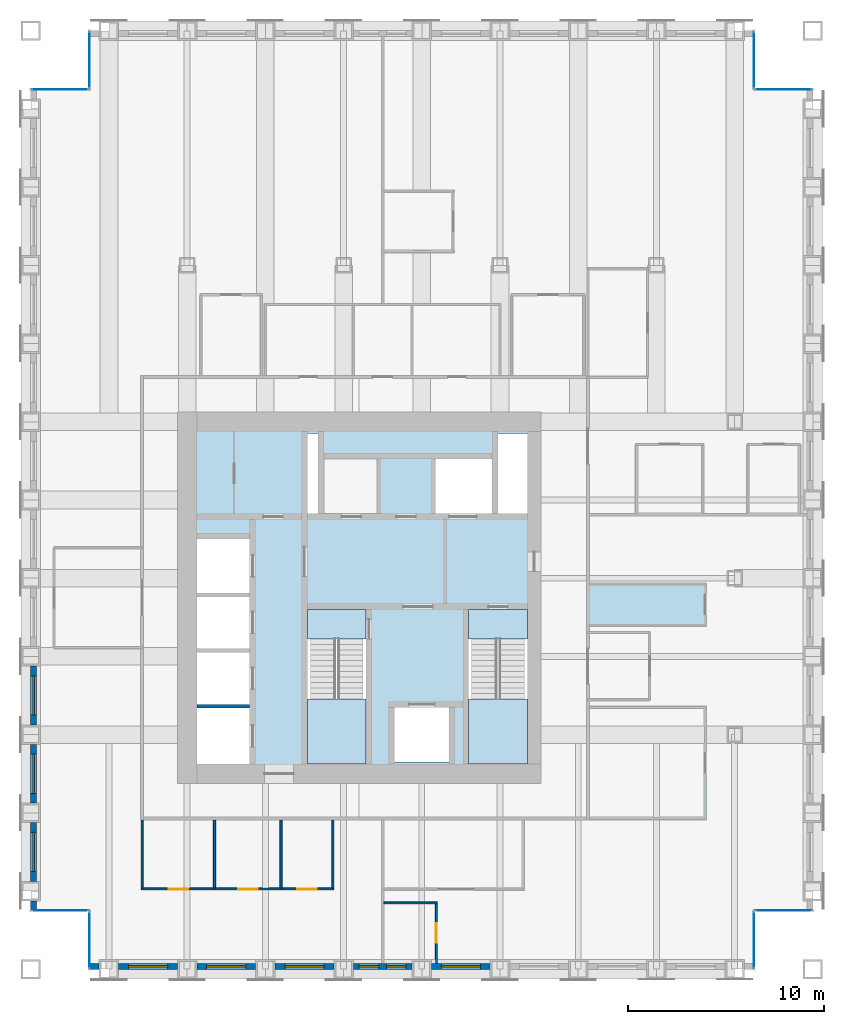
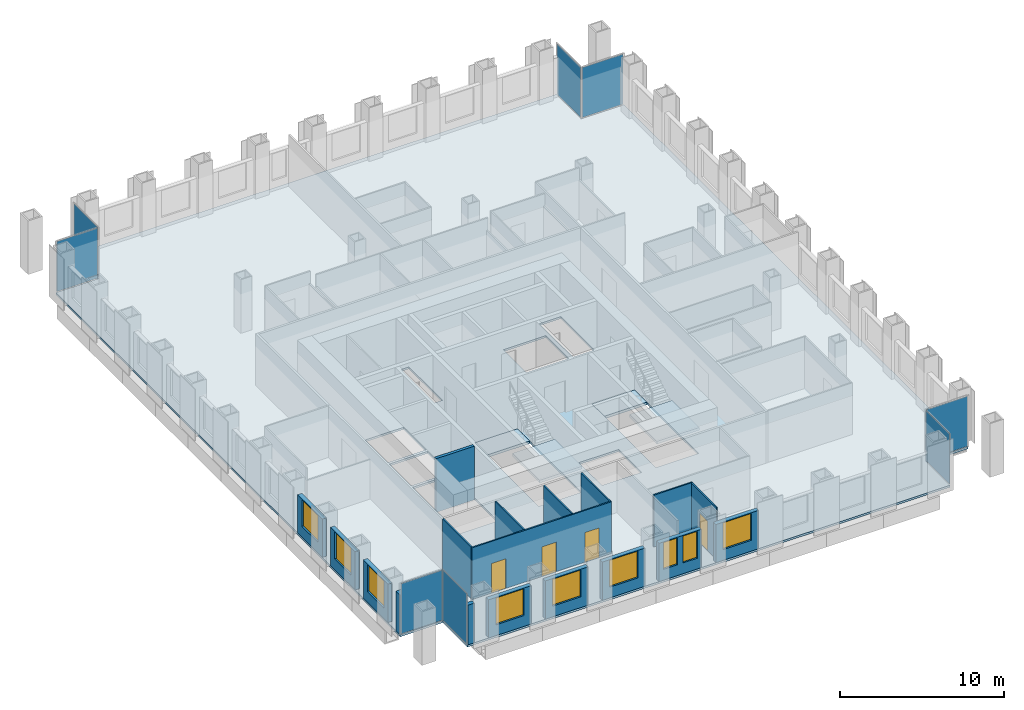
# One storey, part 8 of 14: 18 walls, 9 windows, 8 plates, 5 slabs, 4 doors, 13 openings, 10 elements without a shape of their own.
"""IFC4 building model written with IfcOpenShell, lengths in metres."""

from ifc_helpers import new_model, si_unit, direction, frame, frame_2d, origin, origin_2d, place, context, subcontext, project, spatial, polyline, rectangle, outline, extrude, material, layer, layer_set, type_object, element, fill, aggregate, save


model = new_model("IFC4")

# Units and contexts
model_context = context("Model", 3, precision=1e-05, world=origin(), true_north=direction((0.0, 1.0)))
body_context = subcontext(model_context, "Body", "Model", "MODEL_VIEW")
ifc_project = project(units=[si_unit("LENGTHUNIT", "METRE"), si_unit("AREAUNIT", "SQUARE_METRE"), si_unit("VOLUMEUNIT", "CUBIC_METRE"), si_unit("PLANEANGLEUNIT", "RADIAN"), si_unit("MASSUNIT", "GRAM", prefix="KILO")], contexts=[model_context])

# Site, building, storey
site_placement = place(None, origin())
site = spatial("IfcSite", under=ifc_project, at=site_placement, CompositionType="ELEMENT")
building_placement = place(site_placement, origin())
building = spatial("IfcBuilding", under=site, at=building_placement, Name="Rimbunsela Tower", CompositionType="ELEMENT")
storey_placement = place(building_placement, frame((0.0, 0.0, 226.199951171875)))
storey = spatial("IfcBuildingStorey", under=building, at=storey_placement, Name="L54", CompositionType="ELEMENT", Elevation=226.199951171875)

# Slab
ifc_material_1 = material(Name="Concrete fc' 35 MPa", Category="concrete")
ifc_layer_1 = layer(ifc_material_1, 0.14990234375)
ifc_layer_set_1 = layer_set([ifc_layer_1], Name="Floor slab 150")
slab_type_1 = type_object("IfcSlabType", Name="Floor slab 150", PredefinedType="FLOOR", material=ifc_layer_set_1)
slab_1_placement = place(storey_placement, frame((0.0, 0.0, -0.14990234375)))
element("IfcSlab", 1, at=slab_1_placement, inside=storey, type_object=slab_type_1, Name="Floor slab L54", PredefinedType="FLOOR", context=body_context, shape_type="SweptSolid", body=[
    extrude(outline(polyline([(13.0, 8.0), (47.0, 8.0), (47.0, 11.0), (50.0, 11.0), (50.0, 53.0), (47.0, 53.0), (47.0, 56.0), (13.0, 56.0), (13.0, 53.0), (10.0, 53.0), (10.0, 11.0), (13.0, 11.0), (13.0, 8.0)]), holes=[polyline([(21.199951171875, 21.35009765625), (18.5, 21.35009765625), (18.5, 18.5), (21.199951171875, 18.5), (21.199951171875, 21.35009765625)]), polyline([(21.199951171875, 21.550048828125), (21.199951171875, 24.199951171875), (18.5, 24.199951171875), (18.5, 21.550048828125), (21.199951171875, 21.550048828125)]), polyline([(21.199951171875, 27.050048828125), (18.5, 27.050048828125), (18.5, 24.39990234375), (21.199951171875, 24.39990234375), (21.199951171875, 27.050048828125)]), polyline([(21.199951171875, 30.0), (18.5, 30.0), (18.5, 27.25), (21.199951171875, 27.25), (21.199951171875, 30.0)]), polyline([(27.14990234375, 26.39990234375), (24.14990234375, 26.39990234375), (24.14990234375, 18.60009765625), (27.14990234375, 18.60009765625), (27.14990234375, 26.39990234375)]), polyline([(24.699951171875, 31.300048828125), (24.699951171875, 35.39990234375), (24.14990234375, 35.39990234375), (24.14990234375, 31.300048828125), (24.699951171875, 31.300048828125)]), polyline([(31.39990234375, 21.39990234375), (28.60009765625, 21.39990234375), (28.60009765625, 18.60009765625), (31.39990234375, 18.60009765625), (31.39990234375, 21.39990234375)]), polyline([(33.60009765625, 34.10009765625), (30.60009765625, 34.10009765625), (30.60009765625, 31.300048828125), (33.60009765625, 31.300048828125), (33.60009765625, 34.10009765625)]), polyline([(35.39990234375, 18.60009765625), (35.39990234375, 26.39990234375), (32.39990234375, 26.39990234375), (32.39990234375, 18.60009765625), (35.39990234375, 18.60009765625)]), polyline([(35.39990234375, 31.300048828125), (35.39990234375, 35.39990234375), (33.89990234375, 35.39990234375), (33.89990234375, 31.300048828125), (35.39990234375, 31.300048828125)])]), origin(), (0.0, 0.0, 1.0), 0.14990234375),
])

# Curtain wall, plate
ifc_material_2 = material(Name="Aluminium curtain wall", Category="aluminium")
curtain_wall_type = type_object("IfcCurtainWallType", Name="Corner glazing", PredefinedType="USERDEFINED", material=ifc_material_2)
curtain_wall_1_placement = place(storey_placement, origin())
curtain_wall_1 = element("IfcCurtainWall", 2, at=curtain_wall_1_placement, inside=storey, type_object=curtain_wall_type, Name="Corner glazing L54", ObjectType="CORNER GLAZING", PredefinedType="USERDEFINED")
ifc_material_3 = material(Name="Clear double glazing", Category="glass")
ifc_layer_2 = layer(ifc_material_3, 0.028076171875)
ifc_layer_set_2 = layer_set([ifc_layer_2], Name="Glazed panel clear")
plate_type = type_object("IfcPlateType", Name="Glazed panel clear", PredefinedType="CURTAIN_PANEL", material=ifc_layer_set_2)
plate_1_placement = place(storey_placement, frame((47.0, 9.5, 0.06005859375), z_axis=(0.0, 0.0, 1.0), x_axis=(0.0, 1.0, 0.0)))
plate_1 = element("IfcPlate", 3, at=plate_1_placement, type_object=plate_type, Name="CW5 panel 1.1", PredefinedType="CURTAIN_PANEL", context=body_context, shape_type="SweptSolid", body=[
    extrude(rectangle(XDim=2.8798828125, YDim=0.028076171875, at=origin_2d()), origin(), (0.0, 0.0, 1.0), 3.72998046875),
])
aggregate(curtain_wall_1, [plate_1])

curtain_wall_2_placement = place(storey_placement, origin())
curtain_wall_2 = element("IfcCurtainWall", 4, at=curtain_wall_2_placement, inside=storey, type_object=curtain_wall_type, Name="Corner glazing L54", ObjectType="CORNER GLAZING", PredefinedType="USERDEFINED")
plate_2_placement = place(storey_placement, frame((48.5, 11.0, 0.06005859375), z_axis=(0.0, 0.0, 1.0), x_axis=(1.0, 0.0, 0.0)))
plate_2 = element("IfcPlate", 5, at=plate_2_placement, type_object=plate_type, Name="CW5 panel 1.1", PredefinedType="CURTAIN_PANEL", context=body_context, shape_type="SweptSolid", body=[
    extrude(rectangle(XDim=2.8798828125, YDim=0.028076171875, at=origin_2d()), origin(), (0.0, 0.0, 1.0), 3.72998046875),
])
aggregate(curtain_wall_2, [plate_2])

curtain_wall_3_placement = place(storey_placement, origin())
curtain_wall_3 = element("IfcCurtainWall", 6, at=curtain_wall_3_placement, inside=storey, type_object=curtain_wall_type, Name="Corner glazing L54", ObjectType="CORNER GLAZING", PredefinedType="USERDEFINED")
plate_3_placement = place(storey_placement, frame((48.5, 53.0, 0.06005859375), z_axis=(0.0, 0.0, 1.0), x_axis=(-1.0, 0.0, 0.0)))
plate_3 = element("IfcPlate", 7, at=plate_3_placement, type_object=plate_type, Name="CW5 panel 1.1", PredefinedType="CURTAIN_PANEL", context=body_context, shape_type="SweptSolid", body=[
    extrude(rectangle(XDim=2.8798828125, YDim=0.028076171875, at=origin_2d()), origin(), (0.0, 0.0, 1.0), 3.72998046875),
])
aggregate(curtain_wall_3, [plate_3])

curtain_wall_4_placement = place(storey_placement, origin())
curtain_wall_4 = element("IfcCurtainWall", 8, at=curtain_wall_4_placement, inside=storey, type_object=curtain_wall_type, Name="Corner glazing L54", ObjectType="CORNER GLAZING", PredefinedType="USERDEFINED")
plate_4_placement = place(storey_placement, frame((47.0, 54.5, 0.06005859375), z_axis=(0.0, 0.0, 1.0), x_axis=(0.0, 1.0, 0.0)))
plate_4 = element("IfcPlate", 9, at=plate_4_placement, type_object=plate_type, Name="CW5 panel 1.1", PredefinedType="CURTAIN_PANEL", context=body_context, shape_type="SweptSolid", body=[
    extrude(rectangle(XDim=2.8798828125, YDim=0.028076171875, at=origin_2d()), origin(), (0.0, 0.0, 1.0), 3.72998046875),
])
aggregate(curtain_wall_4, [plate_4])

curtain_wall_5_placement = place(storey_placement, origin())
curtain_wall_5 = element("IfcCurtainWall", 10, at=curtain_wall_5_placement, inside=storey, type_object=curtain_wall_type, Name="Corner glazing L54", ObjectType="CORNER GLAZING", PredefinedType="USERDEFINED")
plate_5_placement = place(storey_placement, frame((13.0, 54.5, 0.06005859375), z_axis=(0.0, 0.0, 1.0), x_axis=(0.0, -1.0, 0.0)))
plate_5 = element("IfcPlate", 11, at=plate_5_placement, type_object=plate_type, Name="CW5 panel 1.1", PredefinedType="CURTAIN_PANEL", context=body_context, shape_type="SweptSolid", body=[
    extrude(rectangle(XDim=2.8798828125, YDim=0.028076171875, at=origin_2d()), origin(), (0.0, 0.0, 1.0), 3.72998046875),
])
aggregate(curtain_wall_5, [plate_5])

curtain_wall_6_placement = place(storey_placement, origin())
curtain_wall_6 = element("IfcCurtainWall", 12, at=curtain_wall_6_placement, inside=storey, type_object=curtain_wall_type, Name="Corner glazing L54", ObjectType="CORNER GLAZING", PredefinedType="USERDEFINED")
plate_6_placement = place(storey_placement, frame((11.5, 53.0, 0.06005859375), z_axis=(0.0, 0.0, 1.0), x_axis=(-1.0, 0.0, 0.0)))
plate_6 = element("IfcPlate", 13, at=plate_6_placement, type_object=plate_type, Name="CW5 panel 1.1", PredefinedType="CURTAIN_PANEL", context=body_context, shape_type="SweptSolid", body=[
    extrude(rectangle(XDim=2.8798828125, YDim=0.028076171875, at=origin_2d()), origin(), (0.0, 0.0, 1.0), 3.72998046875),
])
aggregate(curtain_wall_6, [plate_6])

curtain_wall_7_placement = place(storey_placement, origin())
curtain_wall_7 = element("IfcCurtainWall", 14, at=curtain_wall_7_placement, inside=storey, type_object=curtain_wall_type, Name="Corner glazing L54", ObjectType="CORNER GLAZING", PredefinedType="USERDEFINED")
plate_7_placement = place(storey_placement, frame((11.5, 11.0, 0.06005859375), z_axis=(0.0, 0.0, 1.0), x_axis=(1.0, 0.0, 0.0)))
plate_7 = element("IfcPlate", 15, at=plate_7_placement, type_object=plate_type, Name="CW5 panel 1.1", PredefinedType="CURTAIN_PANEL", context=body_context, shape_type="SweptSolid", body=[
    extrude(rectangle(XDim=2.8798828125, YDim=0.028076171875, at=origin_2d()), origin(), (0.0, 0.0, 1.0), 3.72998046875),
])
aggregate(curtain_wall_7, [plate_7])

curtain_wall_8_placement = place(storey_placement, origin())
curtain_wall_8 = element("IfcCurtainWall", 16, at=curtain_wall_8_placement, inside=storey, type_object=curtain_wall_type, Name="Corner glazing L54", ObjectType="CORNER GLAZING", PredefinedType="USERDEFINED")
plate_8_placement = place(storey_placement, frame((13.0, 9.5, 0.06005859375), z_axis=(0.0, 0.0, 1.0), x_axis=(0.0, -1.0, 0.0)))
plate_8 = element("IfcPlate", 17, at=plate_8_placement, type_object=plate_type, Name="CW5 panel 1.1", PredefinedType="CURTAIN_PANEL", context=body_context, shape_type="SweptSolid", body=[
    extrude(rectangle(XDim=2.8798828125, YDim=0.028076171875, at=origin_2d()), origin(), (0.0, 0.0, 1.0), 3.72998046875),
])
aggregate(curtain_wall_8, [plate_8])

# Stair, slabs
ifc_material_4 = material(Name="Concrete fc' 35 MPa", Category="concrete")
stair_type = type_object("IfcStairType", Name="Exit stair 24 risers", PredefinedType="HALF_TURN_STAIR", material=ifc_material_4)
stair_1_placement = place(storey_placement, origin())
stair_1 = element("IfcStair", 18, at=stair_1_placement, inside=storey, type_object=stair_type, Name="Exit stair A L54", PredefinedType="HALF_TURN_STAIR")
ifc_material_5 = material(Name="Concrete fc' 35 MPa", Category="concrete")
ifc_layer_3 = layer(ifc_material_5, 0.199951171875)
ifc_layer_set_3 = layer_set([ifc_layer_3], Name="Stair landing 200")
slab_type_2 = type_object("IfcSlabType", Name="Stair landing 200", PredefinedType="LANDING", material=ifc_layer_set_3)
slab_2_placement = place(storey_placement, frame((0.0, 0.0, -0.199951171875)))
slab_2 = element("IfcSlab", 19, at=slab_2_placement, type_object=slab_type_2, Name="ST-A landing 1", PredefinedType="LANDING", context=body_context, shape_type="SweptSolid", body=[
    extrude(outline(polyline([(24.14990234375, 24.89990234375), (27.14990234375, 24.89990234375), (27.14990234375, 26.39990234375), (24.14990234375, 26.39990234375), (24.14990234375, 24.89990234375)])), origin(), (0.0, 0.0, 1.0), 0.199951171875),
])
slab_3_placement = place(storey_placement, frame((0.0, 0.0, 1.800048828125)))
slab_3 = element("IfcSlab", 20, at=slab_3_placement, type_object=slab_type_2, Name="ST-A landing 2", PredefinedType="LANDING", context=body_context, shape_type="SweptSolid", body=[
    extrude(outline(polyline([(24.14990234375, 18.5), (27.14990234375, 18.5), (27.14990234375, 21.820068359375), (24.14990234375, 21.820068359375), (24.14990234375, 18.5)])), origin(), (0.0, 0.0, 1.0), 0.199951171875),
])
aggregate(stair_1, [slab_2, slab_3])

stair_2_placement = place(storey_placement, origin())
stair_2 = element("IfcStair", 21, at=stair_2_placement, inside=storey, type_object=stair_type, Name="Exit stair B L54", PredefinedType="HALF_TURN_STAIR")
slab_4_placement = place(storey_placement, frame((0.0, 0.0, -0.199951171875)))
slab_4 = element("IfcSlab", 22, at=slab_4_placement, type_object=slab_type_2, Name="ST-B landing 1", PredefinedType="LANDING", context=body_context, shape_type="SweptSolid", body=[
    extrude(outline(polyline([(32.39990234375, 24.89990234375), (35.39990234375, 24.89990234375), (35.39990234375, 26.39990234375), (32.39990234375, 26.39990234375), (32.39990234375, 24.89990234375)])), origin(), (0.0, 0.0, 1.0), 0.199951171875),
])
slab_5_placement = place(storey_placement, frame((0.0, 0.0, 1.800048828125)))
slab_5 = element("IfcSlab", 23, at=slab_5_placement, type_object=slab_type_2, Name="ST-B landing 2", PredefinedType="LANDING", context=body_context, shape_type="SweptSolid", body=[
    extrude(outline(polyline([(32.39990234375, 18.5), (35.39990234375, 18.5), (35.39990234375, 21.820068359375), (32.39990234375, 21.820068359375), (32.39990234375, 18.5)])), origin(), (0.0, 0.0, 1.0), 0.199951171875),
])
aggregate(stair_2, [slab_4, slab_5])

# Walls
ifc_material_6 = material(Name="Concrete blockwork", Category="masonry")
ifc_layer_4 = layer(ifc_material_6, 0.199951171875)
ifc_layer_set_4 = layer_set([ifc_layer_4], Name="Lift shaft wall 200")
wall_type_1 = type_object("IfcWallType", Name="Lift shaft wall 200", PredefinedType="SOLIDWALL", material=ifc_layer_set_4)
wall_1_placement = place(storey_placement, frame((18.5, 21.449951171875, -0.14990234375), z_axis=(0.0, 0.0, 1.0), x_axis=(1.0, 0.0, 0.0)))
element("IfcWall", 24, at=wall_1_placement, inside=storey, type_object=wall_type_1, Name="Lift shaft separation", PredefinedType="SOLIDWALL", context=body_context, shape_type="SweptSolid", body=[
    extrude(rectangle(XDim=2.699951171875, YDim=0.199951171875, at=frame_2d((1.35009765625, 0.0))), origin(), (0.0, 0.0, 1.0), 4.0),
])
ifc_material_7 = material(Name="Gypsum board on steel studs", Category="steel")
ifc_layer_5 = layer(ifc_material_7, 0.10009765625)
ifc_layer_set_5 = layer_set([ifc_layer_5], Name="Office partition 100")
wall_type_2 = type_object("IfcWallType", Name="Office partition 100", PredefinedType="PARTITIONING", material=ifc_layer_set_5)
wall_2_placement = place(storey_placement, frame((28.06005859375, 11.39990234375, 0.0), z_axis=(0.0, 0.0, 1.0), x_axis=(1.0, 0.0, 0.0)))
element("IfcWall", 25, at=wall_2_placement, inside=storey, type_object=wall_type_2, Name="Office partition", PredefinedType="PARTITIONING", context=body_context, shape_type="SweptSolid", body=[
    extrude(rectangle(XDim=2.739990234375, YDim=0.10009765625, at=frame_2d((1.3701171875, 0.0))), origin(), (0.0, 0.0, 1.0), 3.85009765625),
])

# Wall, openings, doors
wall_3_placement = place(storey_placement, frame((15.64990234375, 12.10009765625, 0.0), z_axis=(0.0, 0.0, 1.0), x_axis=(1.0, 0.0, 0.0)))
wall_3 = element("IfcWall", 26, at=wall_3_placement, inside=storey, type_object=wall_type_2, Name="Office partition", PredefinedType="PARTITIONING", context=body_context, shape_type="SweptSolid", body=[
    extrude(rectangle(XDim=9.85009765625, YDim=0.10009765625, at=frame_2d((4.925048828125, 0.0))), origin(), (0.0, 0.0, 1.0), 3.85009765625),
])
opening_1_placement = place(wall_3_placement, frame((1.39990234375, 0.0, 0.0)))
opening_1 = element("IfcOpeningElement", 27, at=opening_1_placement, cuts=wall_3, Name="Opening D17", PredefinedType="OPENING", context=body_context, shape_type="SweptSolid", body=[
    extrude(rectangle(XDim=1.0, YDim=2.199951171875, at=frame_2d((0.5, 1.10009765625))), frame((0.0, 0.06005859375, 0.0), z_axis=(0.0, -1.0, 0.0), x_axis=(1.0, 0.0, 0.0)), (0.0, 0.0, 1.0), 0.1201171875),
])
opening_2_placement = place(wall_3_placement, frame((4.949951171875, 0.0, 0.0)))
opening_2 = element("IfcOpeningElement", 28, at=opening_2_placement, cuts=wall_3, Name="Opening D16", PredefinedType="OPENING", context=body_context, shape_type="SweptSolid", body=[
    extrude(rectangle(XDim=1.0, YDim=2.199951171875, at=frame_2d((0.5, 1.10009765625))), frame((0.0, 0.06005859375, 0.0), z_axis=(0.0, -1.0, 0.0), x_axis=(1.0, 0.0, 0.0)), (0.0, 0.0, 1.0), 0.1201171875),
])
opening_3_placement = place(wall_3_placement, frame((7.97509765625, 0.0, 0.0)))
opening_3 = element("IfcOpeningElement", 29, at=opening_3_placement, cuts=wall_3, Name="Opening D16", PredefinedType="OPENING", context=body_context, shape_type="SweptSolid", body=[
    extrude(rectangle(XDim=1.0, YDim=2.199951171875, at=frame_2d((0.5, 1.10009765625))), frame((0.0, 0.06005859375, 0.0), z_axis=(0.0, -1.0, 0.0), x_axis=(1.0, 0.0, 0.0)), (0.0, 0.0, 1.0), 0.1201171875),
])
ifc_material_8 = material(Name="Glazed aluminium door", Category="aluminium")
door_type_1 = type_object("IfcDoorType", Name="Meeting room door 1000 glazed", OperationType="SINGLE_SWING_RIGHT", PredefinedType="DOOR", material=ifc_material_8)
door_1_placement = place(opening_1_placement, origin())
door_1 = element("IfcDoor", 30, at=door_1_placement, inside=storey, type_object=door_type_1, Name="Meeting room door", OperationType="SINGLE_SWING_RIGHT", OverallHeight=2.199951171875, OverallWidth=1.0, PredefinedType="DOOR", context=body_context, shape_type="SweptSolid", body=[
    extrude(rectangle(XDim=1.0, YDim=2.199951171875, at=frame_2d((0.5, 1.10009765625))), frame((0.0, 0.02490234375, 0.0), z_axis=(0.0, -1.0, 0.0), x_axis=(1.0, 0.0, 0.0)), (0.0, 0.0, 1.0), 0.050048828125),
])
fill(opening_1, door_1)
ifc_material_9 = material(Name="Timber door", Category="wood")
door_type_2 = type_object("IfcDoorType", Name="Office door 1000", OperationType="SINGLE_SWING_LEFT", PredefinedType="DOOR", material=ifc_material_9)
door_2_placement = place(opening_2_placement, origin())
door_2 = element("IfcDoor", 31, at=door_2_placement, inside=storey, type_object=door_type_2, Name="Office door", OperationType="SINGLE_SWING_LEFT", OverallHeight=2.199951171875, OverallWidth=1.0, PredefinedType="DOOR", context=body_context, shape_type="SweptSolid", body=[
    extrude(rectangle(XDim=1.0, YDim=2.199951171875, at=frame_2d((0.5, 1.10009765625))), frame((0.0, 0.02490234375, 0.0), z_axis=(0.0, -1.0, 0.0), x_axis=(1.0, 0.0, 0.0)), (0.0, 0.0, 1.0), 0.050048828125),
])
fill(opening_2, door_2)
door_3_placement = place(opening_3_placement, origin())
door_3 = element("IfcDoor", 32, at=door_3_placement, inside=storey, type_object=door_type_2, Name="Office door", OperationType="SINGLE_SWING_LEFT", OverallHeight=2.199951171875, OverallWidth=1.0, PredefinedType="DOOR", context=body_context, shape_type="SweptSolid", body=[
    extrude(rectangle(XDim=1.0, YDim=2.199951171875, at=frame_2d((0.5, 1.10009765625))), frame((0.0, 0.02490234375, 0.0), z_axis=(0.0, -1.0, 0.0), x_axis=(1.0, 0.0, 0.0)), (0.0, 0.0, 1.0), 0.050048828125),
])
fill(opening_3, door_3)

# Walls
for number, where, z_axis, x_axis, name in (
    (33, (15.699951171875, 12.14990234375, 0.0), (0.0, 0.0, 1.0), (0.0, 1.0, 0.0), "Office partition"),
    (34, (19.39990234375, 12.14990234375, 0.0), (0.0, 0.0, 1.0), (0.0, 1.0, 0.0), "Office partition"),
    (35, (22.800048828125, 12.14990234375, 0.0), (0.0, 0.0, 1.0), (0.0, 1.0, 0.0), "Office partition"),
    (36, (25.449951171875, 12.14990234375, 0.0), (0.0, 0.0, 1.0), (0.0, 1.0, 0.0), "Office partition"),
):
    element("IfcWall", number, at=place(storey_placement, frame(where, z_axis=z_axis, x_axis=x_axis)), inside=storey, type_object=wall_type_2, Name=name, PredefinedType="PARTITIONING", context=body_context, shape_type="SweptSolid", body=[
        extrude(rectangle(XDim=3.47509765625, YDim=0.10009765625, at=frame_2d((1.737548828125, 0.0))), origin(), (0.0, 0.0, 1.0), 3.85009765625),
    ])

# Wall, opening, door
wall_4_placement = place(storey_placement, frame((30.75, 8.300048828125, 0.0), z_axis=(0.0, 0.0, 1.0), x_axis=(0.0, 1.0, 0.0)))
wall_4 = element("IfcWall", 37, at=wall_4_placement, inside=storey, type_object=wall_type_2, Name="Office partition", PredefinedType="PARTITIONING", context=body_context, shape_type="SweptSolid", body=[
    extrude(rectangle(XDim=3.050048828125, YDim=0.10009765625, at=frame_2d((1.52490234375, 0.0))), origin(), (0.0, 0.0, 1.0), 3.85009765625),
])
opening_4_placement = place(wall_4_placement, frame((1.050048828125, 0.0, 0.0)))
opening_4 = element("IfcOpeningElement", 38, at=opening_4_placement, cuts=wall_4, Name="Opening D16", PredefinedType="OPENING", context=body_context, shape_type="SweptSolid", body=[
    extrude(rectangle(XDim=1.0, YDim=2.199951171875, at=frame_2d((0.5, 1.10009765625))), frame((0.0, 0.06005859375, 0.0), z_axis=(0.0, -1.0, 0.0), x_axis=(1.0, 0.0, 0.0)), (0.0, 0.0, 1.0), 0.1201171875),
])
door_4_placement = place(opening_4_placement, origin())
door_4 = element("IfcDoor", 39, at=door_4_placement, inside=storey, type_object=door_type_2, Name="Office door", OperationType="SINGLE_SWING_LEFT", OverallHeight=2.199951171875, OverallWidth=1.0, PredefinedType="DOOR", context=body_context, shape_type="SweptSolid", body=[
    extrude(rectangle(XDim=1.0, YDim=2.199951171875, at=frame_2d((0.5, 1.10009765625))), frame((0.0, 0.02490234375, 0.0), z_axis=(0.0, -1.0, 0.0), x_axis=(1.0, 0.0, 0.0)), (0.0, 0.0, 1.0), 0.050048828125),
])
fill(opening_4, door_4)

# Wall
ifc_material_10 = material(Name="Precast concrete fc' 35 MPa", Category="concrete")
ifc_layer_6 = layer(ifc_material_10, 0.300048828125)
ifc_layer_set_6 = layer_set([ifc_layer_6], Name="Precast concrete fc' 35 MPa")
wall_type_3 = type_object("IfcWallType", Name="Precast facade panel 300", PredefinedType="ELEMENTEDWALL", material=ifc_layer_set_6)
wall_5_placement = place(storey_placement, frame((13.030029296875, 8.14990234375, 0.0), z_axis=(0.0, 0.0, 1.0), x_axis=(1.0, 0.0, 0.0)))
element("IfcWall", 40, at=wall_5_placement, inside=storey, type_object=wall_type_3, Name="Facade panel S L54", PredefinedType="ELEMENTEDWALL", context=body_context, shape_type="SweptSolid", body=[
    extrude(rectangle(XDim=0.469970703125, YDim=0.300048828125, at=frame_2d((0.23486328125, 0.0))), origin(), (0.0, 0.0, 1.0), 2.949951171875),
])

# Wall, opening, window
wall_6_placement = place(storey_placement, frame((14.5, 8.14990234375, 0.0), z_axis=(0.0, 0.0, 1.0), x_axis=(1.0, 0.0, 0.0)))
wall_6 = element("IfcWall", 41, at=wall_6_placement, inside=storey, type_object=wall_type_3, Name="Facade panel S L54", PredefinedType="ELEMENTEDWALL", context=body_context, shape_type="SweptSolid", body=[
    extrude(rectangle(XDim=3.0, YDim=0.300048828125, at=frame_2d((1.5, 0.0))), origin(), (0.0, 0.0, 1.0), 2.85009765625),
])
opening_5_placement = place(wall_6_placement, frame((0.5, 0.0, 0.800048828125)))
opening_5 = element("IfcOpeningElement", 42, at=opening_5_placement, cuts=wall_6, Name="Opening W1", PredefinedType="OPENING", context=body_context, shape_type="SweptSolid", body=[
    extrude(rectangle(XDim=2.0, YDim=2.0, at=frame_2d((1.0, 1.0))), frame((0.0, 0.159912109375, 0.0), z_axis=(0.0, -1.0, 0.0), x_axis=(1.0, 0.0, 0.0)), (0.0, 0.0, 1.0), 0.320068359375),
])
ifc_material_11 = material(Name="Clear glass in aluminium frame", Category="aluminium")
window_type_1 = type_object("IfcWindowType", Name="Window W1 2000x2000", PartitioningType="DOUBLE_PANEL_VERTICAL", PredefinedType="WINDOW", material=ifc_material_11)
window_1_placement = place(opening_5_placement, origin())
window_1 = element("IfcWindow", 43, at=window_1_placement, inside=storey, type_object=window_type_1, Name="Window L54", OverallHeight=2.0, OverallWidth=2.0, PartitioningType="SINGLE_PANEL", PredefinedType="WINDOW", context=body_context, shape_type="SweptSolid", body=[
    extrude(rectangle(XDim=2.0, YDim=2.0, at=frame_2d((1.0, 1.0))), frame((0.0, 0.030029296875, 0.0), z_axis=(0.0, -1.0, 0.0), x_axis=(1.0, 0.0, 0.0)), (0.0, 0.0, 1.0), 0.06005859375),
])
fill(opening_5, window_1)

wall_7_placement = place(storey_placement, frame((18.5, 8.14990234375, 0.0), z_axis=(0.0, 0.0, 1.0), x_axis=(1.0, 0.0, 0.0)))
wall_7 = element("IfcWall", 44, at=wall_7_placement, inside=storey, type_object=wall_type_3, Name="Facade panel S L54", PredefinedType="ELEMENTEDWALL", context=body_context, shape_type="SweptSolid", body=[
    extrude(rectangle(XDim=3.0, YDim=0.300048828125, at=frame_2d((1.5, 0.0))), origin(), (0.0, 0.0, 1.0), 2.85009765625),
])
opening_6_placement = place(wall_7_placement, frame((0.5, 0.0, 0.800048828125)))
opening_6 = element("IfcOpeningElement", 45, at=opening_6_placement, cuts=wall_7, Name="Opening W1", PredefinedType="OPENING", context=body_context, shape_type="SweptSolid", body=[
    extrude(rectangle(XDim=2.0, YDim=2.0, at=frame_2d((1.0, 1.0))), frame((0.0, 0.159912109375, 0.0), z_axis=(0.0, -1.0, 0.0), x_axis=(1.0, 0.0, 0.0)), (0.0, 0.0, 1.0), 0.320068359375),
])
window_2_placement = place(opening_6_placement, origin())
window_2 = element("IfcWindow", 46, at=window_2_placement, inside=storey, type_object=window_type_1, Name="Window L54", OverallHeight=2.0, OverallWidth=2.0, PartitioningType="SINGLE_PANEL", PredefinedType="WINDOW", context=body_context, shape_type="SweptSolid", body=[
    extrude(rectangle(XDim=2.0, YDim=2.0, at=frame_2d((1.0, 1.0))), frame((0.0, 0.030029296875, 0.0), z_axis=(0.0, -1.0, 0.0), x_axis=(1.0, 0.0, 0.0)), (0.0, 0.0, 1.0), 0.06005859375),
])
fill(opening_6, window_2)

wall_8_placement = place(storey_placement, frame((22.5, 8.14990234375, 0.0), z_axis=(0.0, 0.0, 1.0), x_axis=(1.0, 0.0, 0.0)))
wall_8 = element("IfcWall", 47, at=wall_8_placement, inside=storey, type_object=wall_type_3, Name="Facade panel S L54", PredefinedType="ELEMENTEDWALL", context=body_context, shape_type="SweptSolid", body=[
    extrude(rectangle(XDim=3.0, YDim=0.300048828125, at=frame_2d((1.5, 0.0))), origin(), (0.0, 0.0, 1.0), 2.85009765625),
])
opening_7_placement = place(wall_8_placement, frame((0.5, 0.0, 0.800048828125)))
opening_7 = element("IfcOpeningElement", 48, at=opening_7_placement, cuts=wall_8, Name="Opening W1", PredefinedType="OPENING", context=body_context, shape_type="SweptSolid", body=[
    extrude(rectangle(XDim=2.0, YDim=2.0, at=frame_2d((1.0, 1.0))), frame((0.0, 0.159912109375, 0.0), z_axis=(0.0, -1.0, 0.0), x_axis=(1.0, 0.0, 0.0)), (0.0, 0.0, 1.0), 0.320068359375),
])
window_3_placement = place(opening_7_placement, origin())
window_3 = element("IfcWindow", 49, at=window_3_placement, inside=storey, type_object=window_type_1, Name="Window L54", OverallHeight=2.0, OverallWidth=2.0, PartitioningType="SINGLE_PANEL", PredefinedType="WINDOW", context=body_context, shape_type="SweptSolid", body=[
    extrude(rectangle(XDim=2.0, YDim=2.0, at=frame_2d((1.0, 1.0))), frame((0.0, 0.030029296875, 0.0), z_axis=(0.0, -1.0, 0.0), x_axis=(1.0, 0.0, 0.0)), (0.0, 0.0, 1.0), 0.06005859375),
])
fill(opening_7, window_3)

# Wall, openings, windows
wall_9_placement = place(storey_placement, frame((26.5, 8.14990234375, 0.0), z_axis=(0.0, 0.0, 1.0), x_axis=(1.0, 0.0, 0.0)))
wall_9 = element("IfcWall", 50, at=wall_9_placement, inside=storey, type_object=wall_type_3, Name="Facade panel S L54", PredefinedType="ELEMENTEDWALL", context=body_context, shape_type="SweptSolid", body=[
    extrude(rectangle(XDim=3.0, YDim=0.300048828125, at=frame_2d((1.5, 0.0))), origin(), (0.0, 0.0, 1.0), 2.85009765625),
])
opening_8_placement = place(wall_9_placement, frame((0.300048828125, 0.0, 0.800048828125)))
opening_8 = element("IfcOpeningElement", 51, at=opening_8_placement, cuts=wall_9, Name="Opening W5", PredefinedType="OPENING", context=body_context, shape_type="SweptSolid", body=[
    extrude(rectangle(XDim=1.0, YDim=2.0, at=frame_2d((0.5, 1.0))), frame((0.0, 0.159912109375, 0.0), z_axis=(0.0, -1.0, 0.0), x_axis=(1.0, 0.0, 0.0)), (0.0, 0.0, 1.0), 0.320068359375),
])
opening_9_placement = place(wall_9_placement, frame((1.699951171875, 0.0, 0.800048828125)))
opening_9 = element("IfcOpeningElement", 52, at=opening_9_placement, cuts=wall_9, Name="Opening W5", PredefinedType="OPENING", context=body_context, shape_type="SweptSolid", body=[
    extrude(rectangle(XDim=1.0, YDim=2.0, at=frame_2d((0.5, 1.0))), frame((0.0, 0.159912109375, 0.0), z_axis=(0.0, -1.0, 0.0), x_axis=(1.0, 0.0, 0.0)), (0.0, 0.0, 1.0), 0.320068359375),
])
ifc_material_12 = material(Name="Clear glass in aluminium frame", Category="aluminium")
window_type_2 = type_object("IfcWindowType", Name="Window W5 1000x2000", PartitioningType="SINGLE_PANEL", PredefinedType="WINDOW", material=ifc_material_12)
window_4_placement = place(opening_8_placement, origin())
window_4 = element("IfcWindow", 53, at=window_4_placement, inside=storey, type_object=window_type_2, Name="Window L54", OverallHeight=2.0, OverallWidth=1.0, PartitioningType="SINGLE_PANEL", PredefinedType="WINDOW", context=body_context, shape_type="SweptSolid", body=[
    extrude(rectangle(XDim=1.0, YDim=2.0, at=frame_2d((0.5, 1.0))), frame((0.0, 0.030029296875, 0.0), z_axis=(0.0, -1.0, 0.0), x_axis=(1.0, 0.0, 0.0)), (0.0, 0.0, 1.0), 0.06005859375),
])
fill(opening_8, window_4)
window_5_placement = place(opening_9_placement, origin())
window_5 = element("IfcWindow", 54, at=window_5_placement, inside=storey, type_object=window_type_2, Name="Window L54", OverallHeight=2.0, OverallWidth=1.0, PartitioningType="SINGLE_PANEL", PredefinedType="WINDOW", context=body_context, shape_type="SweptSolid", body=[
    extrude(rectangle(XDim=1.0, YDim=2.0, at=frame_2d((0.5, 1.0))), frame((0.0, 0.030029296875, 0.0), z_axis=(0.0, -1.0, 0.0), x_axis=(1.0, 0.0, 0.0)), (0.0, 0.0, 1.0), 0.06005859375),
])
fill(opening_9, window_5)

# Wall, opening, window
wall_10_placement = place(storey_placement, frame((30.5, 8.14990234375, 0.0), z_axis=(0.0, 0.0, 1.0), x_axis=(1.0, 0.0, 0.0)))
wall_10 = element("IfcWall", 55, at=wall_10_placement, inside=storey, type_object=wall_type_3, Name="Facade panel S L54", PredefinedType="ELEMENTEDWALL", context=body_context, shape_type="SweptSolid", body=[
    extrude(rectangle(XDim=3.0, YDim=0.300048828125, at=frame_2d((1.5, 0.0))), origin(), (0.0, 0.0, 1.0), 2.85009765625),
])
opening_10_placement = place(wall_10_placement, frame((0.5, 0.0, 0.800048828125)))
opening_10 = element("IfcOpeningElement", 56, at=opening_10_placement, cuts=wall_10, Name="Opening W1", PredefinedType="OPENING", context=body_context, shape_type="SweptSolid", body=[
    extrude(rectangle(XDim=2.0, YDim=2.0, at=frame_2d((1.0, 1.0))), frame((0.0, 0.159912109375, 0.0), z_axis=(0.0, -1.0, 0.0), x_axis=(1.0, 0.0, 0.0)), (0.0, 0.0, 1.0), 0.320068359375),
])
window_6_placement = place(opening_10_placement, origin())
window_6 = element("IfcWindow", 57, at=window_6_placement, inside=storey, type_object=window_type_1, Name="Window L54", OverallHeight=2.0, OverallWidth=2.0, PartitioningType="SINGLE_PANEL", PredefinedType="WINDOW", context=body_context, shape_type="SweptSolid", body=[
    extrude(rectangle(XDim=2.0, YDim=2.0, at=frame_2d((1.0, 1.0))), frame((0.0, 0.030029296875, 0.0), z_axis=(0.0, -1.0, 0.0), x_axis=(1.0, 0.0, 0.0)), (0.0, 0.0, 1.0), 0.06005859375),
])
fill(opening_10, window_6)

# Wall
wall_11_placement = place(storey_placement, frame((10.14990234375, 11.5, 0.0), z_axis=(0.0, 0.0, 1.0), x_axis=(0.0, -1.0, 0.0)))
element("IfcWall", 58, at=wall_11_placement, inside=storey, type_object=wall_type_3, Name="Facade panel W L54", PredefinedType="ELEMENTEDWALL", context=body_context, shape_type="SweptSolid", body=[
    extrude(rectangle(XDim=0.469970703125, YDim=0.300048828125, at=frame_2d((0.23486328125, 0.0))), origin(), (0.0, 0.0, 1.0), 2.949951171875),
])

# Wall, opening, window
wall_12_placement = place(storey_placement, frame((10.14990234375, 15.5, 0.0), z_axis=(0.0, 0.0, 1.0), x_axis=(0.0, -1.0, 0.0)))
wall_12 = element("IfcWall", 59, at=wall_12_placement, inside=storey, type_object=wall_type_3, Name="Facade panel W L54", PredefinedType="ELEMENTEDWALL", context=body_context, shape_type="SweptSolid", body=[
    extrude(rectangle(XDim=3.0, YDim=0.300048828125, at=frame_2d((1.5, 0.0))), origin(), (0.0, 0.0, 1.0), 2.85009765625),
])
opening_11_placement = place(wall_12_placement, frame((0.5, 0.0, 0.800048828125)))
opening_11 = element("IfcOpeningElement", 60, at=opening_11_placement, cuts=wall_12, Name="Opening W1", PredefinedType="OPENING", context=body_context, shape_type="SweptSolid", body=[
    extrude(rectangle(XDim=2.0, YDim=2.0, at=frame_2d((1.0, 1.0))), frame((0.0, 0.159912109375, 0.0), z_axis=(0.0, -1.0, 0.0), x_axis=(1.0, 0.0, 0.0)), (0.0, 0.0, 1.0), 0.320068359375),
])
window_7_placement = place(opening_11_placement, origin())
window_7 = element("IfcWindow", 61, at=window_7_placement, inside=storey, type_object=window_type_1, Name="Window L54", OverallHeight=2.0, OverallWidth=2.0, PartitioningType="SINGLE_PANEL", PredefinedType="WINDOW", context=body_context, shape_type="SweptSolid", body=[
    extrude(rectangle(XDim=2.0, YDim=2.0, at=frame_2d((1.0, 1.0))), frame((0.0, 0.030029296875, 0.0), z_axis=(0.0, -1.0, 0.0), x_axis=(1.0, 0.0, 0.0)), (0.0, 0.0, 1.0), 0.06005859375),
])
fill(opening_11, window_7)

wall_13_placement = place(storey_placement, frame((10.14990234375, 19.5, 0.0), z_axis=(0.0, 0.0, 1.0), x_axis=(0.0, -1.0, 0.0)))
wall_13 = element("IfcWall", 62, at=wall_13_placement, inside=storey, type_object=wall_type_3, Name="Facade panel W L54", PredefinedType="ELEMENTEDWALL", context=body_context, shape_type="SweptSolid", body=[
    extrude(rectangle(XDim=3.0, YDim=0.300048828125, at=frame_2d((1.5, 0.0))), origin(), (0.0, 0.0, 1.0), 2.85009765625),
])
opening_12_placement = place(wall_13_placement, frame((0.5, 0.0, 0.800048828125)))
opening_12 = element("IfcOpeningElement", 63, at=opening_12_placement, cuts=wall_13, Name="Opening W1", PredefinedType="OPENING", context=body_context, shape_type="SweptSolid", body=[
    extrude(rectangle(XDim=2.0, YDim=2.0, at=frame_2d((1.0, 1.0))), frame((0.0, 0.159912109375, 0.0), z_axis=(0.0, -1.0, 0.0), x_axis=(1.0, 0.0, 0.0)), (0.0, 0.0, 1.0), 0.320068359375),
])
window_8_placement = place(opening_12_placement, origin())
window_8 = element("IfcWindow", 64, at=window_8_placement, inside=storey, type_object=window_type_1, Name="Window L54", OverallHeight=2.0, OverallWidth=2.0, PartitioningType="SINGLE_PANEL", PredefinedType="WINDOW", context=body_context, shape_type="SweptSolid", body=[
    extrude(rectangle(XDim=2.0, YDim=2.0, at=frame_2d((1.0, 1.0))), frame((0.0, 0.030029296875, 0.0), z_axis=(0.0, -1.0, 0.0), x_axis=(1.0, 0.0, 0.0)), (0.0, 0.0, 1.0), 0.06005859375),
])
fill(opening_12, window_8)

wall_14_placement = place(storey_placement, frame((10.14990234375, 23.5, 0.0), z_axis=(0.0, 0.0, 1.0), x_axis=(0.0, -1.0, 0.0)))
wall_14 = element("IfcWall", 65, at=wall_14_placement, inside=storey, type_object=wall_type_3, Name="Facade panel W L54", PredefinedType="ELEMENTEDWALL", context=body_context, shape_type="SweptSolid", body=[
    extrude(rectangle(XDim=3.0, YDim=0.300048828125, at=frame_2d((1.5, 0.0))), origin(), (0.0, 0.0, 1.0), 2.85009765625),
])
opening_13_placement = place(wall_14_placement, frame((0.5, 0.0, 0.800048828125)))
opening_13 = element("IfcOpeningElement", 66, at=opening_13_placement, cuts=wall_14, Name="Opening W1", PredefinedType="OPENING", context=body_context, shape_type="SweptSolid", body=[
    extrude(rectangle(XDim=2.0, YDim=2.0, at=frame_2d((1.0, 1.0))), frame((0.0, 0.159912109375, 0.0), z_axis=(0.0, -1.0, 0.0), x_axis=(1.0, 0.0, 0.0)), (0.0, 0.0, 1.0), 0.320068359375),
])
window_9_placement = place(opening_13_placement, origin())
window_9 = element("IfcWindow", 67, at=window_9_placement, inside=storey, type_object=window_type_1, Name="Window L54", OverallHeight=2.0, OverallWidth=2.0, PartitioningType="SINGLE_PANEL", PredefinedType="WINDOW", context=body_context, shape_type="SweptSolid", body=[
    extrude(rectangle(XDim=2.0, YDim=2.0, at=frame_2d((1.0, 1.0))), frame((0.0, 0.030029296875, 0.0), z_axis=(0.0, -1.0, 0.0), x_axis=(1.0, 0.0, 0.0)), (0.0, 0.0, 1.0), 0.06005859375),
])
fill(opening_13, window_9)

save(model, "model.ifc")
